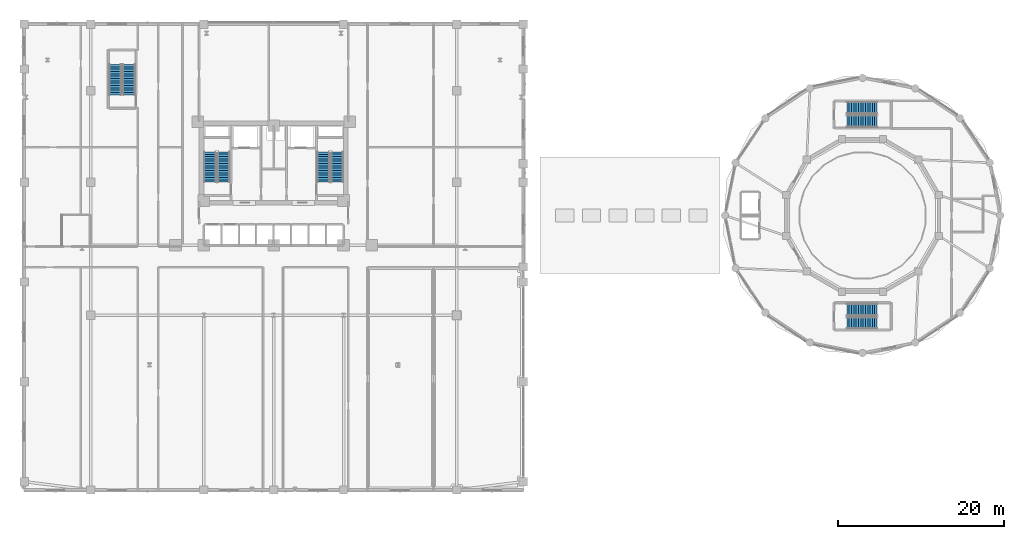
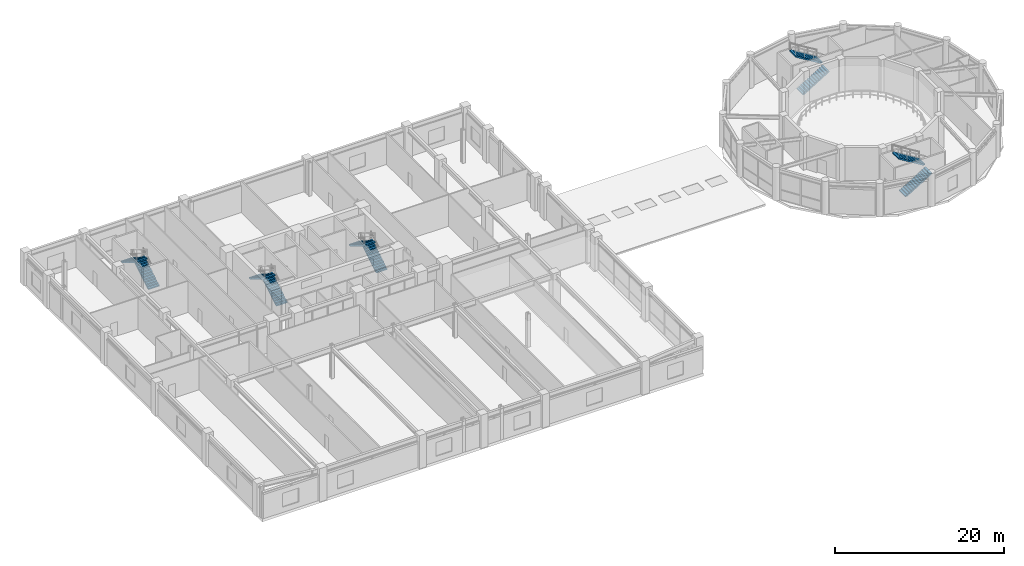
# One storey, part 22 of 34: 10 stair flights, 5 elements without a shape of their own.
"""IFC4 building model written with IfcOpenShell, lengths in metres."""

from ifc_helpers import new_model, si_unit, derived_unit, direction, frame, origin, place, context, subcontext, project, spatial, polyline, outline, extrude, material, type_object, element, aggregate, save


model = new_model("IFC4")

# Units and contexts
model_context = context("Model", 3, precision=1e-05, world=origin(), true_north=direction((0.0, 1.0)))
body_context = subcontext(model_context, "Body", "Model", "MODEL_VIEW")
ifc_project = project(units=[si_unit("LENGTHUNIT", "METRE"), si_unit("AREAUNIT", "SQUARE_METRE"), si_unit("VOLUMEUNIT", "CUBIC_METRE"), si_unit("PLANEANGLEUNIT", "RADIAN"), si_unit("MASSUNIT", "GRAM", prefix="KILO"), derived_unit("THERMALTRANSMITTANCEUNIT", [(si_unit("POWERUNIT", "WATT"), 1), (si_unit("LENGTHUNIT", "METRE"), -2), (si_unit("THERMODYNAMICTEMPERATUREUNIT", "KELVIN"), -1)])], contexts=[model_context])

# Site, building, storey
site_placement = place(None, origin())
site = spatial("IfcSite", under=ifc_project, at=site_placement, CompositionType="ELEMENT")
building_placement = place(site_placement, origin())
building = spatial("IfcBuilding", under=site, at=building_placement, Name="Korsvarv Bourse and Concert Hall", CompositionType="ELEMENT")
storey_placement = place(building_placement, frame((0.0, 0.0, 14.39990234375)))
storey = spatial("IfcBuildingStorey", under=building, at=storey_placement, Name="L03", CompositionType="ELEMENT", Elevation=14.39990234375)

# Stair, stair flights
ifc_material = material(Name="Precast concrete C45/55", Category="concrete")
stair_type_1 = type_object("IfcStairType", Name="STR-TYPE-02", PredefinedType="HALF_TURN_STAIR", material=ifc_material)
stair_1_placement = place(storey_placement, origin())
stair_1 = element("IfcStair", 1, at=stair_1_placement, inside=storey, type_object=stair_type_1, Name="L03 Tower West Exit Stair ST-T1", PredefinedType="HALF_TURN_STAIR")
stair_flight_type_1 = type_object("IfcStairFlightType", Name="FLT-TYPE-02", PredefinedType="STRAIGHT", material=ifc_material)
stair_flight_1_placement = place(storey_placement, frame((30.010009765625, 40.0, 0.0), z_axis=(0.0, 0.0, 1.0), x_axis=(0.0, 1.0, 0.0)))
stair_flight_1 = element("IfcStairFlight", 2, at=stair_flight_1_placement, type_object=stair_flight_type_1, Name="ST-T1 flight 1", NumberOfRisers=14, NumberOfTreads=13, PredefinedType="STRAIGHT", RiserHeight=0.171428571, TreadLength=0.28, context=body_context, shape_type="SweptSolid", body=[
    extrude(outline(polyline([(0.0, 0.0), (0.0, 0.17138671875), (0.280029296875, 0.17138671875), (0.280029296875, 0.3427734375), (0.56005859375, 0.3427734375), (0.56005859375, 0.514404296875), (0.840087890625, 0.514404296875), (0.840087890625, 0.685791015625), (1.1201171875, 0.685791015625), (1.1201171875, 0.857177734375), (1.39990234375, 0.857177734375), (1.39990234375, 1.028564453125), (1.679931640625, 1.028564453125), (1.679931640625, 1.199951171875), (1.9599609375, 1.199951171875), (1.9599609375, 1.371337890625), (2.239990234375, 1.371337890625), (2.239990234375, 1.54296875), (2.52001953125, 1.54296875), (2.52001953125, 1.71435546875), (2.800048828125, 1.71435546875), (2.800048828125, 1.8857421875), (3.080078125, 1.8857421875), (3.080078125, 2.05712890625), (3.360107421875, 2.05712890625), (3.360107421875, 2.228515625), (3.639892578125, 2.228515625), (3.639892578125, 2.39990234375), (3.639892578125, 2.052734375), (0.287109375, 0.0), (0.0, 0.0)])), frame((0.0, 0.75, 0.0), z_axis=(0.0, -1.0, 0.0), x_axis=(1.0, 0.0, 0.0)), (0.0, 0.0, 1.0), 1.5),
])
stair_flight_2_placement = place(storey_placement, frame((28.35009765625, 43.639892578125, 2.400146484375), z_axis=(0.0, 0.0, 1.0), x_axis=(0.0, -1.0, 0.0)))
stair_flight_2 = element("IfcStairFlight", 3, at=stair_flight_2_placement, type_object=stair_flight_type_1, Name="ST-T1 flight 2", NumberOfRisers=14, NumberOfTreads=13, PredefinedType="STRAIGHT", RiserHeight=0.171428571, TreadLength=0.28, context=body_context, shape_type="SweptSolid", body=[
    extrude(outline(polyline([(0.0, 0.0), (0.0, 0.17138671875), (0.280029296875, 0.17138671875), (0.280029296875, 0.3427734375), (0.56005859375, 0.3427734375), (0.56005859375, 0.514404296875), (0.840087890625, 0.514404296875), (0.840087890625, 0.685791015625), (1.1201171875, 0.685791015625), (1.1201171875, 0.857177734375), (1.39990234375, 0.857177734375), (1.39990234375, 1.028564453125), (1.679931640625, 1.028564453125), (1.679931640625, 1.199951171875), (1.9599609375, 1.199951171875), (1.9599609375, 1.371337890625), (2.239990234375, 1.371337890625), (2.239990234375, 1.54296875), (2.52001953125, 1.54296875), (2.52001953125, 1.71435546875), (2.800048828125, 1.71435546875), (2.800048828125, 1.8857421875), (3.080078125, 1.8857421875), (3.080078125, 2.05712890625), (3.360107421875, 2.05712890625), (3.360107421875, 2.228515625), (3.639892578125, 2.228515625), (3.639892578125, 2.39990234375), (3.639892578125, 2.052734375), (0.287109375, 0.0), (0.0, 0.0)])), frame((0.0, 0.75, 0.0), z_axis=(0.0, -1.0, 0.0), x_axis=(1.0, 0.0, 0.0)), (0.0, 0.0, 1.0), 1.5),
])
aggregate(stair_1, [stair_flight_1, stair_flight_2])

stair_2_placement = place(storey_placement, origin())
stair_2 = element("IfcStair", 4, at=stair_2_placement, inside=storey, type_object=stair_type_1, Name="L03 Tower East Exit Stair ST-T2", PredefinedType="HALF_TURN_STAIR")
stair_flight_3_placement = place(storey_placement, frame((43.64990234375, 40.0, 0.0), z_axis=(0.0, 0.0, 1.0), x_axis=(0.0, 1.0, 0.0)))
stair_flight_3 = element("IfcStairFlight", 5, at=stair_flight_3_placement, type_object=stair_flight_type_1, Name="ST-T2 flight 1", NumberOfRisers=14, NumberOfTreads=13, PredefinedType="STRAIGHT", RiserHeight=0.171428571, TreadLength=0.28, context=body_context, shape_type="SweptSolid", body=[
    extrude(outline(polyline([(0.0, 0.0), (0.0, 0.17138671875), (0.280029296875, 0.17138671875), (0.280029296875, 0.3427734375), (0.56005859375, 0.3427734375), (0.56005859375, 0.514404296875), (0.840087890625, 0.514404296875), (0.840087890625, 0.685791015625), (1.1201171875, 0.685791015625), (1.1201171875, 0.857177734375), (1.39990234375, 0.857177734375), (1.39990234375, 1.028564453125), (1.679931640625, 1.028564453125), (1.679931640625, 1.199951171875), (1.9599609375, 1.199951171875), (1.9599609375, 1.371337890625), (2.239990234375, 1.371337890625), (2.239990234375, 1.54296875), (2.52001953125, 1.54296875), (2.52001953125, 1.71435546875), (2.800048828125, 1.71435546875), (2.800048828125, 1.8857421875), (3.080078125, 1.8857421875), (3.080078125, 2.05712890625), (3.360107421875, 2.05712890625), (3.360107421875, 2.228515625), (3.639892578125, 2.228515625), (3.639892578125, 2.39990234375), (3.639892578125, 2.052734375), (0.287109375, 0.0), (0.0, 0.0)])), frame((0.0, 0.75, 0.0), z_axis=(0.0, -1.0, 0.0), x_axis=(1.0, 0.0, 0.0)), (0.0, 0.0, 1.0), 1.5),
])
stair_flight_4_placement = place(storey_placement, frame((41.989990234375, 43.639892578125, 2.400146484375), z_axis=(0.0, 0.0, 1.0), x_axis=(0.0, -1.0, 0.0)))
stair_flight_4 = element("IfcStairFlight", 6, at=stair_flight_4_placement, type_object=stair_flight_type_1, Name="ST-T2 flight 2", NumberOfRisers=14, NumberOfTreads=13, PredefinedType="STRAIGHT", RiserHeight=0.171428571, TreadLength=0.28, context=body_context, shape_type="SweptSolid", body=[
    extrude(outline(polyline([(0.0, 0.0), (0.0, 0.17138671875), (0.280029296875, 0.17138671875), (0.280029296875, 0.3427734375), (0.56005859375, 0.3427734375), (0.56005859375, 0.514404296875), (0.840087890625, 0.514404296875), (0.840087890625, 0.685791015625), (1.1201171875, 0.685791015625), (1.1201171875, 0.857177734375), (1.39990234375, 0.857177734375), (1.39990234375, 1.028564453125), (1.679931640625, 1.028564453125), (1.679931640625, 1.199951171875), (1.9599609375, 1.199951171875), (1.9599609375, 1.371337890625), (2.239990234375, 1.371337890625), (2.239990234375, 1.54296875), (2.52001953125, 1.54296875), (2.52001953125, 1.71435546875), (2.800048828125, 1.71435546875), (2.800048828125, 1.8857421875), (3.080078125, 1.8857421875), (3.080078125, 2.05712890625), (3.360107421875, 2.05712890625), (3.360107421875, 2.228515625), (3.639892578125, 2.228515625), (3.639892578125, 2.39990234375), (3.639892578125, 2.052734375), (0.287109375, 0.0), (0.0, 0.0)])), frame((0.0, 0.75, 0.0), z_axis=(0.0, -1.0, 0.0), x_axis=(1.0, 0.0, 0.0)), (0.0, 0.0, 1.0), 1.5),
])
aggregate(stair_2, [stair_flight_3, stair_flight_4])

stair_3_placement = place(storey_placement, origin())
stair_3 = element("IfcStair", 7, at=stair_3_placement, inside=storey, type_object=stair_type_1, Name="L03 Exchange Podium Grand Stair ST-PD1", PredefinedType="HALF_TURN_STAIR")
stair_flight_5_placement = place(storey_placement, frame((18.610107421875, 50.5, 0.0), z_axis=(0.0, 0.0, 1.0), x_axis=(0.0, 1.0, 0.0)))
stair_flight_5 = element("IfcStairFlight", 8, at=stair_flight_5_placement, type_object=stair_flight_type_1, Name="ST-PD1 flight 1", NumberOfRisers=14, NumberOfTreads=13, PredefinedType="STRAIGHT", RiserHeight=0.171428571, TreadLength=0.28, context=body_context, shape_type="SweptSolid", body=[
    extrude(outline(polyline([(0.0, 0.0), (0.0, 0.17138671875), (0.280029296875, 0.17138671875), (0.280029296875, 0.3427734375), (0.56005859375, 0.3427734375), (0.56005859375, 0.514404296875), (0.840087890625, 0.514404296875), (0.840087890625, 0.685791015625), (1.1201171875, 0.685791015625), (1.1201171875, 0.857177734375), (1.39990234375, 0.857177734375), (1.39990234375, 1.028564453125), (1.679931640625, 1.028564453125), (1.679931640625, 1.199951171875), (1.9599609375, 1.199951171875), (1.9599609375, 1.371337890625), (2.239990234375, 1.371337890625), (2.239990234375, 1.54296875), (2.52001953125, 1.54296875), (2.52001953125, 1.71435546875), (2.800048828125, 1.71435546875), (2.800048828125, 1.8857421875), (3.080078125, 1.8857421875), (3.080078125, 2.05712890625), (3.360107421875, 2.05712890625), (3.360107421875, 2.228515625), (3.639892578125, 2.228515625), (3.639892578125, 2.39990234375), (3.639892578125, 2.052734375), (0.287109375, 0.0), (0.0, 0.0)])), frame((0.0, 0.75, 0.0), z_axis=(0.0, -1.0, 0.0), x_axis=(1.0, 0.0, 0.0)), (0.0, 0.0, 1.0), 1.5),
])
stair_flight_6_placement = place(storey_placement, frame((16.949951171875, 54.139892578125, 2.400146484375), z_axis=(0.0, 0.0, 1.0), x_axis=(0.0, -1.0, 0.0)))
stair_flight_6 = element("IfcStairFlight", 9, at=stair_flight_6_placement, type_object=stair_flight_type_1, Name="ST-PD1 flight 2", NumberOfRisers=14, NumberOfTreads=13, PredefinedType="STRAIGHT", RiserHeight=0.171428571, TreadLength=0.28, context=body_context, shape_type="SweptSolid", body=[
    extrude(outline(polyline([(0.0, 0.0), (0.0, 0.17138671875), (0.280029296875, 0.17138671875), (0.280029296875, 0.3427734375), (0.56005859375, 0.3427734375), (0.56005859375, 0.514404296875), (0.840087890625, 0.514404296875), (0.840087890625, 0.685791015625), (1.1201171875, 0.685791015625), (1.1201171875, 0.857177734375), (1.39990234375, 0.857177734375), (1.39990234375, 1.028564453125), (1.679931640625, 1.028564453125), (1.679931640625, 1.199951171875), (1.9599609375, 1.199951171875), (1.9599609375, 1.371337890625), (2.239990234375, 1.371337890625), (2.239990234375, 1.54296875), (2.52001953125, 1.54296875), (2.52001953125, 1.71435546875), (2.800048828125, 1.71435546875), (2.800048828125, 1.8857421875), (3.080078125, 1.8857421875), (3.080078125, 2.05712890625), (3.360107421875, 2.05712890625), (3.360107421875, 2.228515625), (3.639892578125, 2.228515625), (3.639892578125, 2.39990234375), (3.639892578125, 2.052734375), (0.287109375, 0.0), (0.0, 0.0)])), frame((0.0, 0.75, 0.0), z_axis=(0.0, -1.0, 0.0), x_axis=(1.0, 0.0, 0.0)), (0.0, 0.0, 1.0), 1.5),
])
aggregate(stair_3, [stair_flight_5, stair_flight_6])

stair_type_2 = type_object("IfcStairType", Name="STR-TYPE-07", PredefinedType="HALF_TURN_STAIR", material=ifc_material)
stair_4_placement = place(storey_placement, origin())
stair_4 = element("IfcStair", 10, at=stair_4_placement, inside=storey, type_object=stair_type_2, Name="L03 Concert Hall North Exit Stair ST-CH1", PredefinedType="HALF_TURN_STAIR")
stair_flight_type_2 = type_object("IfcStairFlightType", Name="FLT-TYPE-07", PredefinedType="STRAIGHT", material=ifc_material)
stair_flight_7_placement = place(storey_placement, frame((104.89990234375, 47.324951171875, 0.0), z_axis=(0.0, 0.0, 1.0), x_axis=(1.0, 0.0, 0.0)))
stair_flight_7 = element("IfcStairFlight", 11, at=stair_flight_7_placement, type_object=stair_flight_type_2, Name="ST-CH1 flight 1", NumberOfRisers=14, NumberOfTreads=13, PredefinedType="STRAIGHT", RiserHeight=0.171428571, TreadLength=0.28, context=body_context, shape_type="SweptSolid", body=[
    extrude(outline(polyline([(0.0, 0.0), (0.0, 0.17138671875), (0.280029296875, 0.17138671875), (0.280029296875, 0.3427734375), (0.56005859375, 0.3427734375), (0.56005859375, 0.514404296875), (0.840087890625, 0.514404296875), (0.840087890625, 0.685791015625), (1.1201171875, 0.685791015625), (1.1201171875, 0.857177734375), (1.39990234375, 0.857177734375), (1.39990234375, 1.028564453125), (1.679931640625, 1.028564453125), (1.679931640625, 1.199951171875), (1.9599609375, 1.199951171875), (1.9599609375, 1.371337890625), (2.239990234375, 1.371337890625), (2.239990234375, 1.54296875), (2.52001953125, 1.54296875), (2.52001953125, 1.71435546875), (2.800048828125, 1.71435546875), (2.800048828125, 1.8857421875), (3.080078125, 1.8857421875), (3.080078125, 2.05712890625), (3.360107421875, 2.05712890625), (3.360107421875, 2.228515625), (3.639892578125, 2.228515625), (3.639892578125, 2.39990234375), (3.639892578125, 2.052734375), (0.287109375, 0.0), (0.0, 0.0)])), frame((0.0, 0.72509765625, 0.0), z_axis=(0.0, -1.0, 0.0), x_axis=(1.0, 0.0, 0.0)), (0.0, 0.0, 1.0), 1.449951171875),
])
stair_flight_8_placement = place(storey_placement, frame((108.5400390625, 48.93505859375, 2.400146484375), z_axis=(0.0, 0.0, 1.0), x_axis=(-1.0, 0.0, 0.0)))
stair_flight_8 = element("IfcStairFlight", 12, at=stair_flight_8_placement, type_object=stair_flight_type_2, Name="ST-CH1 flight 2", NumberOfRisers=14, NumberOfTreads=13, PredefinedType="STRAIGHT", RiserHeight=0.171428571, TreadLength=0.28, context=body_context, shape_type="SweptSolid", body=[
    extrude(outline(polyline([(0.0, 0.0), (0.0, 0.17138671875), (0.280029296875, 0.17138671875), (0.280029296875, 0.3427734375), (0.56005859375, 0.3427734375), (0.56005859375, 0.514404296875), (0.840087890625, 0.514404296875), (0.840087890625, 0.685791015625), (1.1201171875, 0.685791015625), (1.1201171875, 0.857177734375), (1.39990234375, 0.857177734375), (1.39990234375, 1.028564453125), (1.679931640625, 1.028564453125), (1.679931640625, 1.199951171875), (1.9599609375, 1.199951171875), (1.9599609375, 1.371337890625), (2.239990234375, 1.371337890625), (2.239990234375, 1.54296875), (2.52001953125, 1.54296875), (2.52001953125, 1.71435546875), (2.800048828125, 1.71435546875), (2.800048828125, 1.8857421875), (3.080078125, 1.8857421875), (3.080078125, 2.05712890625), (3.360107421875, 2.05712890625), (3.360107421875, 2.228515625), (3.639892578125, 2.228515625), (3.639892578125, 2.39990234375), (3.639892578125, 2.052734375), (0.287109375, 0.0), (0.0, 0.0)])), frame((0.0, 0.72509765625, 0.0), z_axis=(0.0, -1.0, 0.0), x_axis=(1.0, 0.0, 0.0)), (0.0, 0.0, 1.0), 1.449951171875),
])
aggregate(stair_4, [stair_flight_7, stair_flight_8])

stair_5_placement = place(storey_placement, origin())
stair_5 = element("IfcStair", 13, at=stair_5_placement, inside=storey, type_object=stair_type_2, Name="L03 Concert Hall South Exit Stair ST-CH2", PredefinedType="HALF_TURN_STAIR")
stair_flight_9_placement = place(storey_placement, frame((104.89990234375, 23.06494140625, 0.0), z_axis=(0.0, 0.0, 1.0), x_axis=(1.0, 0.0, 0.0)))
stair_flight_9 = element("IfcStairFlight", 14, at=stair_flight_9_placement, type_object=stair_flight_type_2, Name="ST-CH2 flight 1", NumberOfRisers=14, NumberOfTreads=13, PredefinedType="STRAIGHT", RiserHeight=0.171428571, TreadLength=0.28, context=body_context, shape_type="SweptSolid", body=[
    extrude(outline(polyline([(0.0, 0.0), (0.0, 0.17138671875), (0.280029296875, 0.17138671875), (0.280029296875, 0.3427734375), (0.56005859375, 0.3427734375), (0.56005859375, 0.514404296875), (0.840087890625, 0.514404296875), (0.840087890625, 0.685791015625), (1.1201171875, 0.685791015625), (1.1201171875, 0.857177734375), (1.39990234375, 0.857177734375), (1.39990234375, 1.028564453125), (1.679931640625, 1.028564453125), (1.679931640625, 1.199951171875), (1.9599609375, 1.199951171875), (1.9599609375, 1.371337890625), (2.239990234375, 1.371337890625), (2.239990234375, 1.54296875), (2.52001953125, 1.54296875), (2.52001953125, 1.71435546875), (2.800048828125, 1.71435546875), (2.800048828125, 1.8857421875), (3.080078125, 1.8857421875), (3.080078125, 2.05712890625), (3.360107421875, 2.05712890625), (3.360107421875, 2.228515625), (3.639892578125, 2.228515625), (3.639892578125, 2.39990234375), (3.639892578125, 2.052734375), (0.287109375, 0.0), (0.0, 0.0)])), frame((0.0, 0.72509765625, 0.0), z_axis=(0.0, -1.0, 0.0), x_axis=(1.0, 0.0, 0.0)), (0.0, 0.0, 1.0), 1.449951171875),
])
stair_flight_10_placement = place(storey_placement, frame((108.5400390625, 24.675048828125, 2.400146484375), z_axis=(0.0, 0.0, 1.0), x_axis=(-1.0, 0.0, 0.0)))
stair_flight_10 = element("IfcStairFlight", 15, at=stair_flight_10_placement, type_object=stair_flight_type_2, Name="ST-CH2 flight 2", NumberOfRisers=14, NumberOfTreads=13, PredefinedType="STRAIGHT", RiserHeight=0.171428571, TreadLength=0.28, context=body_context, shape_type="SweptSolid", body=[
    extrude(outline(polyline([(0.0, 0.0), (0.0, 0.17138671875), (0.280029296875, 0.17138671875), (0.280029296875, 0.3427734375), (0.56005859375, 0.3427734375), (0.56005859375, 0.514404296875), (0.840087890625, 0.514404296875), (0.840087890625, 0.685791015625), (1.1201171875, 0.685791015625), (1.1201171875, 0.857177734375), (1.39990234375, 0.857177734375), (1.39990234375, 1.028564453125), (1.679931640625, 1.028564453125), (1.679931640625, 1.199951171875), (1.9599609375, 1.199951171875), (1.9599609375, 1.371337890625), (2.239990234375, 1.371337890625), (2.239990234375, 1.54296875), (2.52001953125, 1.54296875), (2.52001953125, 1.71435546875), (2.800048828125, 1.71435546875), (2.800048828125, 1.8857421875), (3.080078125, 1.8857421875), (3.080078125, 2.05712890625), (3.360107421875, 2.05712890625), (3.360107421875, 2.228515625), (3.639892578125, 2.228515625), (3.639892578125, 2.39990234375), (3.639892578125, 2.052734375), (0.287109375, 0.0), (0.0, 0.0)])), frame((0.0, 0.72509765625, 0.0), z_axis=(0.0, -1.0, 0.0), x_axis=(1.0, 0.0, 0.0)), (0.0, 0.0, 1.0), 1.449951171875),
])
aggregate(stair_5, [stair_flight_9, stair_flight_10])

save(model, "model.ifc")
